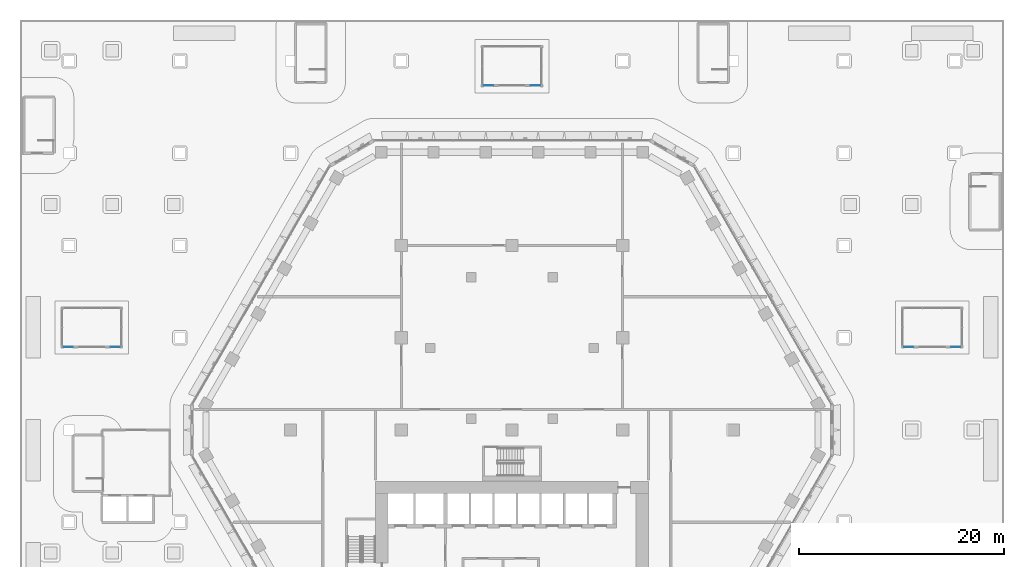
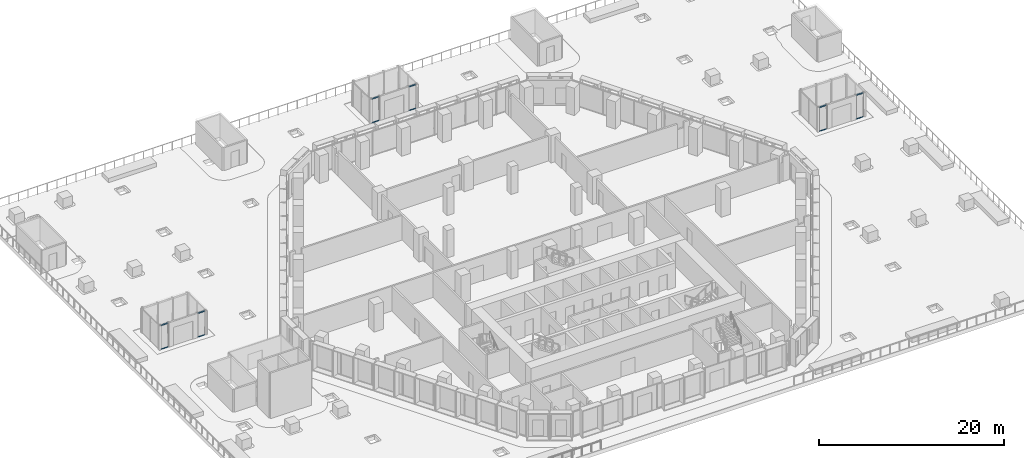
# One storey, part 15 of 38: 12 members, 6 elements without a shape of their own.
"""IFC4 building model written with IfcOpenShell, lengths in metres."""

from ifc_helpers import new_model, si_unit, direction, frame, origin, origin_2d, place, context, subcontext, project, spatial, hollow_rectangle, extrude, material, material_profile, profile_set, type_object, element, aggregate, save


model = new_model("IFC4")

# Units and contexts
model_context = context("Model", 3, precision=1e-05, world=origin(), true_north=direction((0.0, 1.0)))
body_context = subcontext(model_context, "Body", "Model", "MODEL_VIEW")
ifc_project = project(units=[si_unit("LENGTHUNIT", "METRE"), si_unit("AREAUNIT", "SQUARE_METRE"), si_unit("VOLUMEUNIT", "CUBIC_METRE"), si_unit("PLANEANGLEUNIT", "RADIAN"), si_unit("MASSUNIT", "GRAM", prefix="KILO")], contexts=[model_context])

# Site, building, storey
site_placement = place(None, origin())
site = spatial("IfcSite", under=ifc_project, at=site_placement, CompositionType="ELEMENT")
building_placement = place(site_placement, origin())
building = spatial("IfcBuilding", under=site, at=building_placement, Name="Beryl Residences", CompositionType="ELEMENT")
storey_placement = place(building_placement, frame((0.0, 0.0, 9.0)))
storey = spatial("IfcBuildingStorey", under=building, at=storey_placement, Name="L02", CompositionType="ELEMENT", Elevation=9.0)

# Curtain wall, members
ifc_material_1 = material(Name="Aluminium and clear glass", Category="aluminium")
curtain_wall_type = type_object("IfcCurtainWallType", Name="CW6 garden pavilion glazing glazed wall", PredefinedType="NOTDEFINED", material=ifc_material_1)
curtain_wall_1_placement = place(storey_placement, origin())
curtain_wall_1 = element("IfcCurtainWall", 1, at=curtain_wall_1_placement, inside=storey, type_object=curtain_wall_type, Name="CW6 pavilion 1 s0", PredefinedType="NOTDEFINED")
ifc_material_2 = material(Name="Aluminium", Category="aluminium")
ifc_material_profile = material_profile(ifc_material_2, hollow_rectangle(XDim=0.050048828125, YDim=0.10009765625, WallThickness=0.00390625, at=origin_2d()))
ifc_profile_set = profile_set([ifc_material_profile], Name="Aluminium")
member_type = type_object("IfcMemberType", Name="CW6-T transom 50 x 100 mm", PredefinedType="USERDEFINED", material=ifc_profile_set)
member_1_placement = place(storey_placement, frame((-43.75, 8.10009765625, 0.02490234375), z_axis=(1.0, 0.0, 0.0), x_axis=(0.0, 1.0, 0.0)))
member_1 = element("IfcMember", 2, at=member_1_placement, type_object=member_type, Name="CW6 transom 1.1", ObjectType="TRANSOM", PredefinedType="USERDEFINED", context=body_context, shape_type="SweptSolid", body=[
    extrude(hollow_rectangle(XDim=0.050048828125, YDim=0.10009765625, WallThickness=0.00390625, at=origin_2d()), origin(), (0.0, 0.0, 1.0), 0.89990234375),
])
member_2_placement = place(storey_placement, frame((-43.75, 8.10009765625, 3.175048828125), z_axis=(1.0, 0.0, 0.0), x_axis=(0.0, 1.0, 0.0)))
member_2 = element("IfcMember", 3, at=member_2_placement, type_object=member_type, Name="CW6 transom 1.2", ObjectType="TRANSOM", PredefinedType="USERDEFINED", context=body_context, shape_type="SweptSolid", body=[
    extrude(hollow_rectangle(XDim=0.050048828125, YDim=0.10009765625, WallThickness=0.00390625, at=origin_2d()), origin(), (0.0, 0.0, 1.0), 0.89990234375),
])
aggregate(curtain_wall_1, [member_1, member_2])

curtain_wall_2_placement = place(storey_placement, origin())
curtain_wall_2 = element("IfcCurtainWall", 4, at=curtain_wall_2_placement, inside=storey, type_object=curtain_wall_type, Name="CW6 pavilion 1 s2", PredefinedType="NOTDEFINED")
member_3_placement = place(storey_placement, frame((-39.14990234375, 8.10009765625, 0.02490234375), z_axis=(1.0, 0.0, 0.0), x_axis=(0.0, 1.0, 0.0)))
member_3 = element("IfcMember", 5, at=member_3_placement, type_object=member_type, Name="CW6 transom 1.1", ObjectType="TRANSOM", PredefinedType="USERDEFINED", context=body_context, shape_type="SweptSolid", body=[
    extrude(hollow_rectangle(XDim=0.050048828125, YDim=0.10009765625, WallThickness=0.00390625, at=origin_2d()), origin(), (0.0, 0.0, 1.0), 0.89990234375),
])
member_4_placement = place(storey_placement, frame((-39.14990234375, 8.10009765625, 3.175048828125), z_axis=(1.0, 0.0, 0.0), x_axis=(0.0, 1.0, 0.0)))
member_4 = element("IfcMember", 6, at=member_4_placement, type_object=member_type, Name="CW6 transom 1.2", ObjectType="TRANSOM", PredefinedType="USERDEFINED", context=body_context, shape_type="SweptSolid", body=[
    extrude(hollow_rectangle(XDim=0.050048828125, YDim=0.10009765625, WallThickness=0.00390625, at=origin_2d()), origin(), (0.0, 0.0, 1.0), 0.89990234375),
])
aggregate(curtain_wall_2, [member_3, member_4])

curtain_wall_3_placement = place(storey_placement, origin())
curtain_wall_3 = element("IfcCurtainWall", 7, at=curtain_wall_3_placement, inside=storey, type_object=curtain_wall_type, Name="CW6 pavilion 2 s0", PredefinedType="NOTDEFINED")
member_5_placement = place(storey_placement, frame((38.25, 8.10009765625, 0.02490234375), z_axis=(1.0, 0.0, 0.0), x_axis=(0.0, 1.0, 0.0)))
member_5 = element("IfcMember", 8, at=member_5_placement, type_object=member_type, Name="CW6 transom 1.1", ObjectType="TRANSOM", PredefinedType="USERDEFINED", context=body_context, shape_type="SweptSolid", body=[
    extrude(hollow_rectangle(XDim=0.050048828125, YDim=0.10009765625, WallThickness=0.00390625, at=origin_2d()), origin(), (0.0, 0.0, 1.0), 0.89990234375),
])
member_6_placement = place(storey_placement, frame((38.25, 8.10009765625, 3.175048828125), z_axis=(1.0, 0.0, 0.0), x_axis=(0.0, 1.0, 0.0)))
member_6 = element("IfcMember", 9, at=member_6_placement, type_object=member_type, Name="CW6 transom 1.2", ObjectType="TRANSOM", PredefinedType="USERDEFINED", context=body_context, shape_type="SweptSolid", body=[
    extrude(hollow_rectangle(XDim=0.050048828125, YDim=0.10009765625, WallThickness=0.00390625, at=origin_2d()), origin(), (0.0, 0.0, 1.0), 0.89990234375),
])
aggregate(curtain_wall_3, [member_5, member_6])

curtain_wall_4_placement = place(storey_placement, origin())
curtain_wall_4 = element("IfcCurtainWall", 10, at=curtain_wall_4_placement, inside=storey, type_object=curtain_wall_type, Name="CW6 pavilion 2 s2", PredefinedType="NOTDEFINED")
member_7_placement = place(storey_placement, frame((42.85009765625, 8.10009765625, 0.02490234375), z_axis=(1.0, 0.0, 0.0), x_axis=(0.0, 1.0, 0.0)))
member_7 = element("IfcMember", 11, at=member_7_placement, type_object=member_type, Name="CW6 transom 1.1", ObjectType="TRANSOM", PredefinedType="USERDEFINED", context=body_context, shape_type="SweptSolid", body=[
    extrude(hollow_rectangle(XDim=0.050048828125, YDim=0.10009765625, WallThickness=0.00390625, at=origin_2d()), origin(), (0.0, 0.0, 1.0), 0.89990234375),
])
member_8_placement = place(storey_placement, frame((42.85009765625, 8.10009765625, 3.175048828125), z_axis=(1.0, 0.0, 0.0), x_axis=(0.0, 1.0, 0.0)))
member_8 = element("IfcMember", 12, at=member_8_placement, type_object=member_type, Name="CW6 transom 1.2", ObjectType="TRANSOM", PredefinedType="USERDEFINED", context=body_context, shape_type="SweptSolid", body=[
    extrude(hollow_rectangle(XDim=0.050048828125, YDim=0.10009765625, WallThickness=0.00390625, at=origin_2d()), origin(), (0.0, 0.0, 1.0), 0.89990234375),
])
aggregate(curtain_wall_4, [member_7, member_8])

curtain_wall_5_placement = place(storey_placement, origin())
curtain_wall_5 = element("IfcCurtainWall", 13, at=curtain_wall_5_placement, inside=storey, type_object=curtain_wall_type, Name="CW6 pavilion 3 s0", PredefinedType="NOTDEFINED")
member_9_placement = place(storey_placement, frame((-2.75, 33.60009765625, 0.02490234375), z_axis=(1.0, 0.0, 0.0), x_axis=(0.0, 1.0, 0.0)))
member_9 = element("IfcMember", 14, at=member_9_placement, type_object=member_type, Name="CW6 transom 1.1", ObjectType="TRANSOM", PredefinedType="USERDEFINED", context=body_context, shape_type="SweptSolid", body=[
    extrude(hollow_rectangle(XDim=0.050048828125, YDim=0.10009765625, WallThickness=0.00390625, at=origin_2d()), origin(), (0.0, 0.0, 1.0), 0.89990234375),
])
member_10_placement = place(storey_placement, frame((-2.75, 33.60009765625, 3.175048828125), z_axis=(1.0, 0.0, 0.0), x_axis=(0.0, 1.0, 0.0)))
member_10 = element("IfcMember", 15, at=member_10_placement, type_object=member_type, Name="CW6 transom 1.2", ObjectType="TRANSOM", PredefinedType="USERDEFINED", context=body_context, shape_type="SweptSolid", body=[
    extrude(hollow_rectangle(XDim=0.050048828125, YDim=0.10009765625, WallThickness=0.00390625, at=origin_2d()), origin(), (0.0, 0.0, 1.0), 0.89990234375),
])
aggregate(curtain_wall_5, [member_9, member_10])

curtain_wall_6_placement = place(storey_placement, origin())
curtain_wall_6 = element("IfcCurtainWall", 16, at=curtain_wall_6_placement, inside=storey, type_object=curtain_wall_type, Name="CW6 pavilion 3 s2", PredefinedType="NOTDEFINED")
member_11_placement = place(storey_placement, frame((1.85009765625, 33.60009765625, 0.02490234375), z_axis=(1.0, 0.0, 0.0), x_axis=(0.0, 1.0, 0.0)))
member_11 = element("IfcMember", 17, at=member_11_placement, type_object=member_type, Name="CW6 transom 1.1", ObjectType="TRANSOM", PredefinedType="USERDEFINED", context=body_context, shape_type="SweptSolid", body=[
    extrude(hollow_rectangle(XDim=0.050048828125, YDim=0.10009765625, WallThickness=0.00390625, at=origin_2d()), origin(), (0.0, 0.0, 1.0), 0.89990234375),
])
member_12_placement = place(storey_placement, frame((1.85009765625, 33.60009765625, 3.175048828125), z_axis=(1.0, 0.0, 0.0), x_axis=(0.0, 1.0, 0.0)))
member_12 = element("IfcMember", 18, at=member_12_placement, type_object=member_type, Name="CW6 transom 1.2", ObjectType="TRANSOM", PredefinedType="USERDEFINED", context=body_context, shape_type="SweptSolid", body=[
    extrude(hollow_rectangle(XDim=0.050048828125, YDim=0.10009765625, WallThickness=0.00390625, at=origin_2d()), origin(), (0.0, 0.0, 1.0), 0.89990234375),
])
aggregate(curtain_wall_6, [member_11, member_12])

save(model, "model.ifc")
